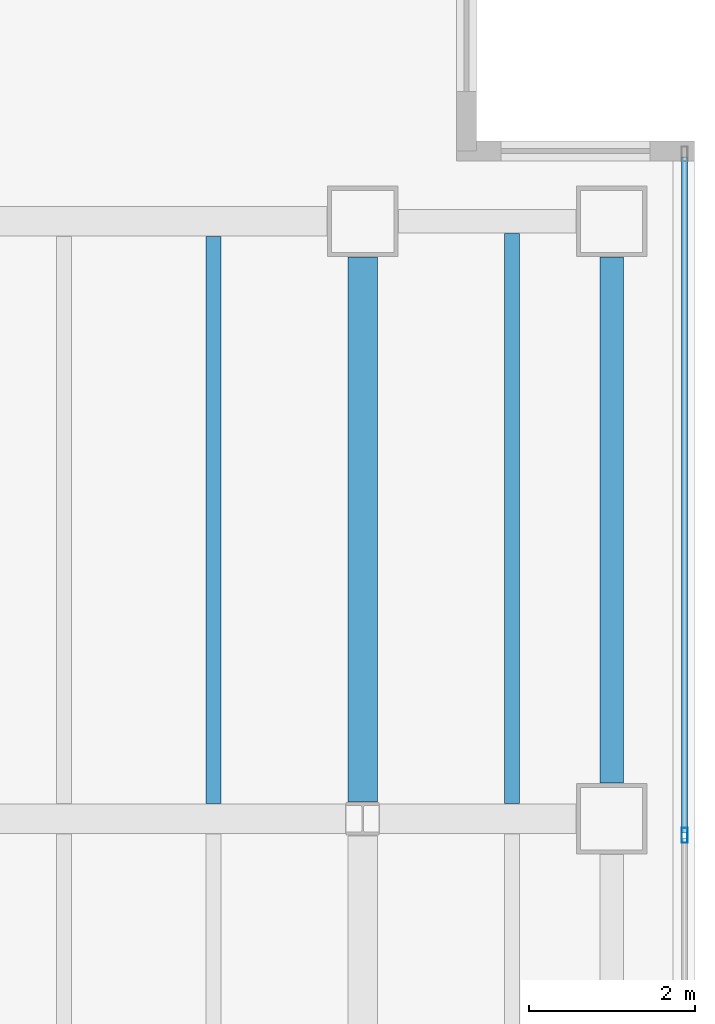
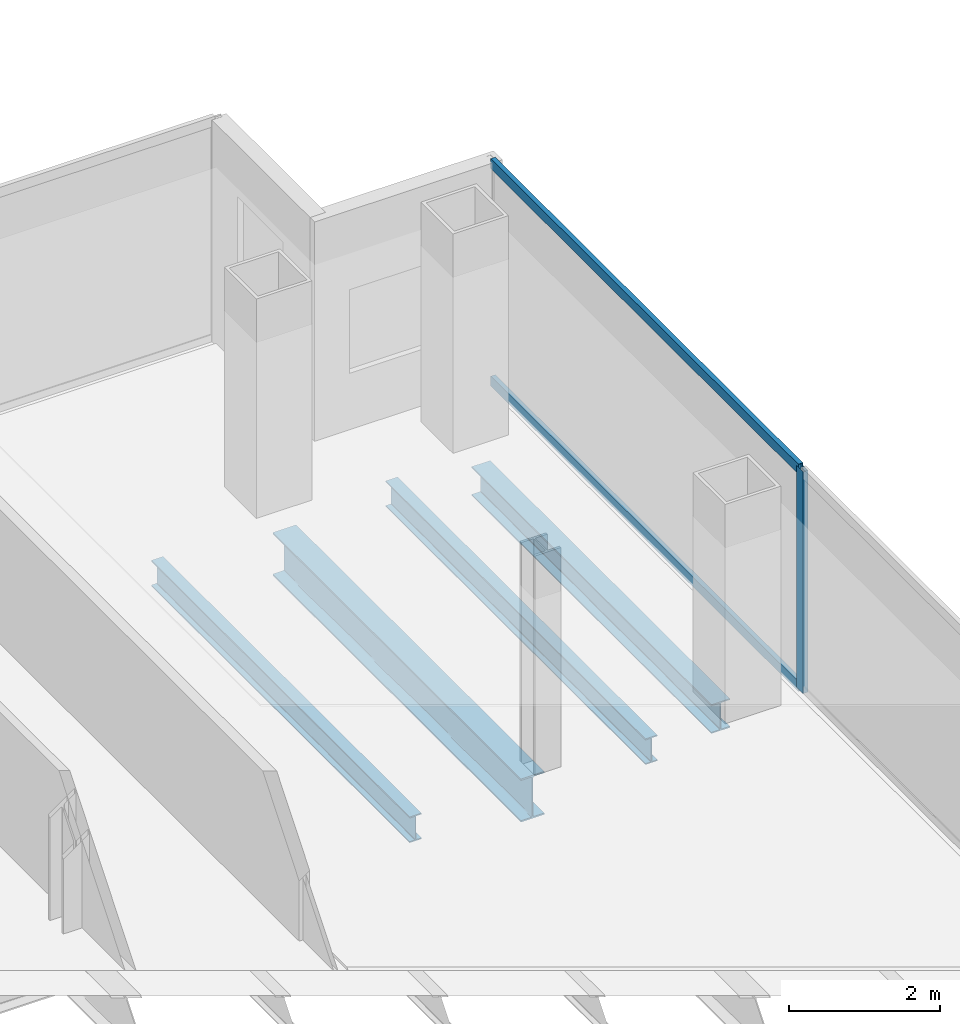
# One storey, part 13 of 24: 4 beams, 3 members, 1 element without a shape of its own.
"""IFC4 building model written with IfcOpenShell, lengths in metres."""

from ifc_helpers import new_model, si_unit, direction, frame, origin, origin_2d, place, context, subcontext, project, spatial, hollow_rectangle, i_section, extrude, material, material_profile, profile_set, type_object, element, aggregate, save


model = new_model("IFC4")

# Units and contexts
model_context = context("Model", 3, precision=1e-05, world=origin(), true_north=direction((0.0, 1.0)))
body_context = subcontext(model_context, "Body", "Model", "MODEL_VIEW")
ifc_project = project(units=[si_unit("LENGTHUNIT", "METRE"), si_unit("AREAUNIT", "SQUARE_METRE"), si_unit("VOLUMEUNIT", "CUBIC_METRE"), si_unit("PLANEANGLEUNIT", "RADIAN"), si_unit("MASSUNIT", "GRAM", prefix="KILO")], contexts=[model_context])

# Site, building, storey
site_placement = place(None, origin())
site = spatial("IfcSite", under=ifc_project, at=site_placement, CompositionType="ELEMENT")
building_placement = place(site_placement, origin())
building = spatial("IfcBuilding", under=site, at=building_placement, Name="Cobrela Telecom Tower", CompositionType="ELEMENT")
storey_placement = place(building_placement, frame((0.0, 0.0, 152.25)))
storey = spatial("IfcBuildingStorey", under=building, at=storey_placement, Name="L38", CompositionType="ELEMENT", Elevation=152.25)

# Beams
ifc_material_1 = material(Name="Steel ASTM A992 Grade 50", Category="steel")
ifc_material_profile_1 = material_profile(ifc_material_1, i_section(OverallWidth=0.35595703125, OverallDepth=0.696044921875, WebThickness=0.015380859375, FlangeThickness=0.024658203125, FilletRadius=0.01806640625, at=origin_2d()), Name="W27X146")
ifc_profile_set_1 = profile_set([ifc_material_profile_1], Name="Steel ASTM A992 Grade 50")
beam_type_1 = type_object("IfcBeamType", Name="BM-GIRD-05", PredefinedType="USERDEFINED", material=ifc_profile_set_1)
beam_1_placement = place(storey_placement, frame((43.199951171875, 14.6044921875, -0.617919921875), z_axis=(0.0, 1.0, 0.0), x_axis=(-1.0, 0.0, 0.0)))
element("IfcBeam", 1, at=beam_1_placement, inside=storey, type_object=beam_type_1, Name="L38 Primary Girder Y54", ObjectType="GIRDER", PredefinedType="USERDEFINED", context=body_context, shape_type="SweptSolid", body=[
    extrude(i_section(OverallWidth=0.35595703125, OverallDepth=0.696044921875, WebThickness=0.015380859375, FlangeThickness=0.024658203125, FilletRadius=0.01806640625, at=origin_2d()), origin(), (0.0, 0.0, 1.0), 6.5654296875),
])
ifc_material_profile_2 = material_profile(ifc_material_1, i_section(OverallWidth=0.179931640625, OverallDepth=0.4169921875, WebThickness=0.010986328125, FlangeThickness=0.01806640625, FilletRadius=0.011962890625, at=origin_2d()), Name="W16X57")
ifc_profile_set_2 = profile_set([ifc_material_profile_2], Name="Steel ASTM A992 Grade 50")
beam_type_2 = type_object("IfcBeamType", Name="BM-JOIST-04", PredefinedType="JOIST", material=ifc_profile_set_2)
beam_2_placement = place(storey_placement, frame((41.39990234375, 14.5830078125, -0.478515625), z_axis=(0.0, 1.0, 0.0), x_axis=(-1.0, 0.0, 0.0)))
element("IfcBeam", 2, at=beam_2_placement, inside=storey, type_object=beam_type_2, Name="L38 Secondary Composite Floor Beam J38", PredefinedType="JOIST", context=body_context, shape_type="SweptSolid", body=[
    extrude(i_section(OverallWidth=0.179931640625, OverallDepth=0.4169921875, WebThickness=0.010986328125, FlangeThickness=0.01806640625, FilletRadius=0.011962890625, at=origin_2d()), origin(), (0.0, 0.0, 1.0), 6.833984375),
])
beam_3_placement = place(storey_placement, frame((45.0, 14.5830078125, -0.478515625), z_axis=(0.0, 1.0, 0.0), x_axis=(-1.0, 0.0, 0.0)))
element("IfcBeam", 3, at=beam_3_placement, inside=storey, type_object=beam_type_2, Name="L38 Secondary Composite Floor Beam J40", PredefinedType="JOIST", context=body_context, shape_type="SweptSolid", body=[
    extrude(i_section(OverallWidth=0.179931640625, OverallDepth=0.4169921875, WebThickness=0.010986328125, FlangeThickness=0.01806640625, FilletRadius=0.011962890625, at=origin_2d()), origin(), (0.0, 0.0, 1.0), 6.87109375),
])
ifc_material_profile_3 = material_profile(ifc_material_1, i_section(OverallWidth=0.281982421875, OverallDepth=0.467041015625, WebThickness=0.01220703125, FlangeThickness=0.01953125, FilletRadius=0.012939453125, at=origin_2d()), Name="W18X86")
ifc_profile_set_3 = profile_set([ifc_material_profile_3], Name="Steel ASTM A992 Grade 50")
beam_type_3 = type_object("IfcBeamType", Name="BM-SPAND-04", PredefinedType="SPANDREL", material=ifc_profile_set_3)
beam_4_placement = place(storey_placement, frame((46.199951171875, 14.830078125, -0.50341796875), z_axis=(0.0, 1.0, 0.0), x_axis=(-1.0, 0.0, 0.0)))
element("IfcBeam", 4, at=beam_4_placement, inside=storey, type_object=beam_type_3, Name="L38 Perimeter Spandrel Y56", PredefinedType="SPANDREL", context=body_context, shape_type="SweptSolid", body=[
    extrude(i_section(OverallWidth=0.281982421875, OverallDepth=0.467041015625, WebThickness=0.01220703125, FlangeThickness=0.01953125, FilletRadius=0.012939453125, at=origin_2d()), origin(), (0.0, 0.0, 1.0), 6.33984375),
])

# Curtain wall, members
ifc_material_2 = material(Name="Anodized Bronze Aluminium 6063-T6", Category="aluminium")
curtain_wall_type = type_object("IfcCurtainWallType", Name="CW-SYS-TEL", PredefinedType="USERDEFINED", material=ifc_material_2)
curtain_wall_placement = place(storey_placement, origin())
curtain_wall = element("IfcCurtainWall", 5, at=curtain_wall_placement, inside=storey, type_object=curtain_wall_type, Name="L38 Unitised Bronze Curtain Wall 14", ObjectType="UNITISED CURTAIN WALL", PredefinedType="USERDEFINED")
ifc_material_profile_4 = material_profile(ifc_material_2, hollow_rectangle(XDim=0.074951171875, YDim=0.179931640625, WallThickness=0.00390625, at=origin_2d()), Name="ALU 75x180x4")
ifc_profile_set_4 = profile_set([ifc_material_profile_4], Name="Anodized Bronze Aluminium 6063-T6")
member_type_1 = type_object("IfcMemberType", Name="CW-SYS-TEL-MUL", PredefinedType="MULLION", material=ifc_profile_set_4)
member_1_placement = place(storey_placement, frame((47.080078125, 14.199951171875, 0.0), z_axis=(0.0, 0.0, 1.0), x_axis=(1.0, 0.0, 0.0)))
member_1 = element("IfcMember", 6, at=member_1_placement, type_object=member_type_1, Name="CW-TEL mullion 2", PredefinedType="MULLION", context=body_context, shape_type="SweptSolid", body=[
    extrude(hollow_rectangle(XDim=0.074951171875, YDim=0.179931640625, WallThickness=0.00390625, at=origin_2d()), origin(), (0.0, 0.0, 1.0), 3.580078125),
])
ifc_material_profile_5 = material_profile(ifc_material_2, hollow_rectangle(XDim=0.070068359375, YDim=0.159912109375, WallThickness=0.00390625, at=origin_2d()), Name="ALU 70x160x4")
ifc_profile_set_5 = profile_set([ifc_material_profile_5], Name="Anodized Bronze Aluminium 6063-T6")
member_type_2 = type_object("IfcMemberType", Name="CW-SYS-TEL-TRN", PredefinedType="USERDEFINED", material=ifc_profile_set_5)
member_2_placement = place(storey_placement, frame((47.080078125, 22.375, 0.034912109375), z_axis=(0.0, -1.0, 0.0), x_axis=(1.0, 0.0, 0.0)))
member_2 = element("IfcMember", 7, at=member_2_placement, type_object=member_type_2, Name="CW-TEL transom 1.1", ObjectType="TRANSOM", PredefinedType="USERDEFINED", context=body_context, shape_type="SweptSolid", body=[
    extrude(hollow_rectangle(XDim=0.070068359375, YDim=0.159912109375, WallThickness=0.00390625, at=origin_2d()), origin(), (0.0, 0.0, 1.0), 8.137451171875),
])
member_3_placement = place(storey_placement, frame((47.080078125, 22.375, 3.544921875), z_axis=(0.0, -1.0, 0.0), x_axis=(1.0, 0.0, 0.0)))
member_3 = element("IfcMember", 8, at=member_3_placement, type_object=member_type_2, Name="CW-TEL transom 1.2", ObjectType="TRANSOM", PredefinedType="USERDEFINED", context=body_context, shape_type="SweptSolid", body=[
    extrude(hollow_rectangle(XDim=0.070068359375, YDim=0.159912109375, WallThickness=0.00390625, at=origin_2d()), origin(), (0.0, 0.0, 1.0), 8.137451171875),
])
aggregate(curtain_wall, [member_1, member_2, member_3])

save(model, "model.ifc")
